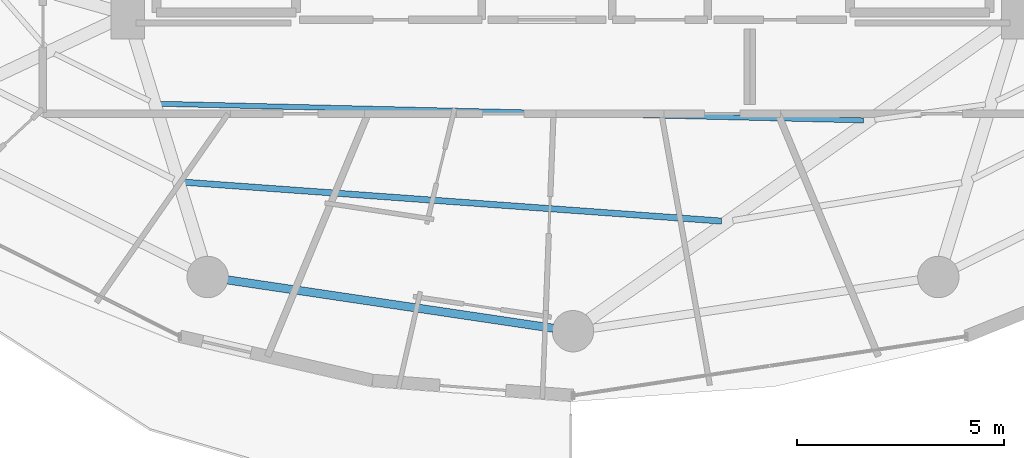
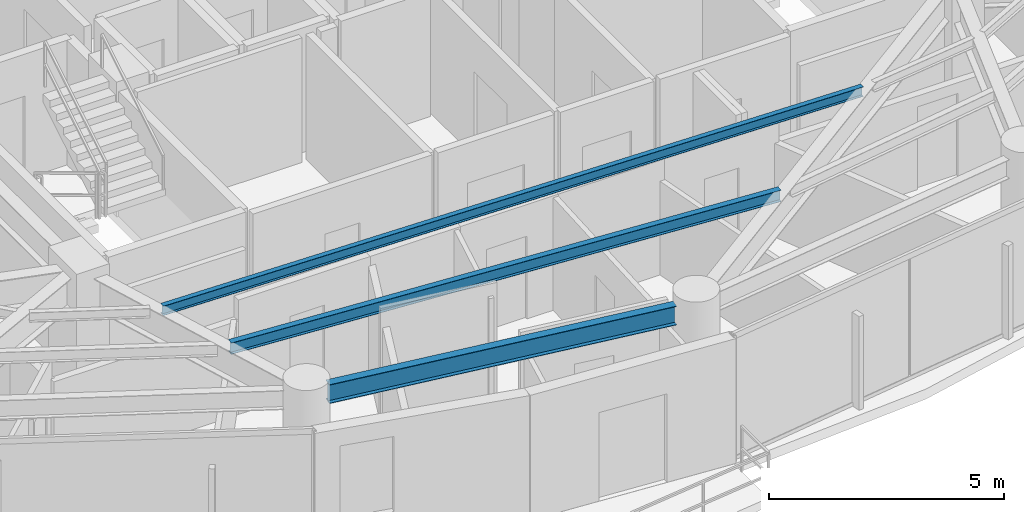
# One storey, part 4 of 28: 3 beams.
"""IFC4 building model written with IfcOpenShell, lengths in metres."""

from ifc_helpers import new_model, si_unit, direction, frame, origin, origin_2d, place, context, subcontext, project, spatial, i_section, extrude, material, material_profile, profile_set, type_object, element, save


model = new_model("IFC4")

# Units and contexts
model_context = context("Model", 3, precision=1e-05, world=origin(), true_north=direction((0.0, 1.0)))
body_context = subcontext(model_context, "Body", "Model", "MODEL_VIEW")
ifc_project = project(units=[si_unit("LENGTHUNIT", "METRE"), si_unit("AREAUNIT", "SQUARE_METRE"), si_unit("VOLUMEUNIT", "CUBIC_METRE"), si_unit("PLANEANGLEUNIT", "RADIAN"), si_unit("MASSUNIT", "GRAM", prefix="KILO")], contexts=[model_context])

# Site, building, storey
site_placement = place(None, origin())
site = spatial("IfcSite", under=ifc_project, at=site_placement, CompositionType="ELEMENT")
building_placement = place(site_placement, origin())
building = spatial("IfcBuilding", under=site, at=building_placement, Name="Vorneva Point Tower", CompositionType="ELEMENT")
storey_placement = place(building_placement, frame((0.0, 0.0, 139.60009765625)))
storey = spatial("IfcBuildingStorey", under=building, at=storey_placement, Name="L37", CompositionType="ELEMENT", Elevation=139.60009765625)

# Beams
ifc_material = material(Name="Steel S355", Category="steel")
ifc_material_profile_1 = material_profile(ifc_material, i_section(OverallWidth=0.1240234375, OverallDepth=0.248046875, WebThickness=0.0048828125, FlangeThickness=0.008056640625, at=origin_2d()), Name="25B1")
ifc_profile_set_1 = profile_set([ifc_material_profile_1], Name="Steel S355")
beam_type_1 = type_object("IfcBeamType", Name="BM-JST-25B1", PredefinedType="JOIST", material=ifc_profile_set_1)
beam_1_placement = place(storey_placement, frame((28.0439453125, 14.290283203125, 3.115966796875), z_axis=(0.999721995287, -0.023578213231, 0.0), x_axis=(0.023578213231, 0.999721995287, 0.0)))
element("IfcBeam", 1, at=beam_1_placement, inside=storey, type_object=beam_type_1, Name="L37 Secondary Floor Beam 2.12", PredefinedType="JOIST", context=body_context, shape_type="SweptSolid", body=[
    extrude(i_section(OverallWidth=0.1240234375, OverallDepth=0.248046875, WebThickness=0.0048828125, FlangeThickness=0.008056640625, at=origin_2d()), origin(), (0.0, 0.0, 1.0), 16.970947265625),
])
ifc_material_profile_2 = material_profile(ifc_material, i_section(OverallWidth=0.14892578125, OverallDepth=0.298095703125, WebThickness=0.005615234375, FlangeThickness=0.008056640625, at=origin_2d()), Name="30B1")
ifc_profile_set_2 = profile_set([ifc_material_profile_2], Name="Steel S355")
beam_type_2 = type_object("IfcBeamType", Name="BM-JST-30B1", PredefinedType="JOIST", material=ifc_profile_set_2)
beam_2_placement = place(storey_placement, frame((28.61767578125, 12.397216796875, 3.0908203125), z_axis=(0.997392598268, -0.072166508296, 0.0), x_axis=(0.072166508296, 0.997392598268, 0.0)))
element("IfcBeam", 2, at=beam_2_placement, inside=storey, type_object=beam_type_2, Name="L37 Secondary Floor Beam 1.12", PredefinedType="JOIST", context=body_context, shape_type="SweptSolid", body=[
    extrude(i_section(OverallWidth=0.14892578125, OverallDepth=0.298095703125, WebThickness=0.005615234375, FlangeThickness=0.008056640625, at=origin_2d()), origin(), (0.0, 0.0, 1.0), 13.0009765625),
])
ifc_material_profile_3 = material_profile(ifc_material, i_section(OverallWidth=0.199951171875, OverallDepth=0.491943359375, WebThickness=0.0087890625, FlangeThickness=0.011962890625, at=origin_2d()), Name="50B1")
ifc_profile_set_3 = profile_set([ifc_material_profile_3], Name="Steel S355")
beam_type_3 = type_object("IfcBeamType", Name="BM-SPN-50B1", PredefinedType="SPANDREL", material=ifc_profile_set_3)
beam_3_placement = place(storey_placement, frame((29.65869140625, 10.0380859375, 2.993896484375), z_axis=(0.989161199046, -0.146833655211, 0.0), x_axis=(0.146833655211, 0.989161199046, 0.0)))
element("IfcBeam", 3, at=beam_3_placement, inside=storey, type_object=beam_type_3, Name="L37 Perimeter Spandrel Ring Beam 12", PredefinedType="SPANDREL", context=body_context, shape_type="SweptSolid", body=[
    extrude(i_section(OverallWidth=0.199951171875, OverallDepth=0.491943359375, WebThickness=0.0087890625, FlangeThickness=0.011962890625, at=origin_2d()), origin(), (0.0, 0.0, 1.0), 7.94775390625),
])

save(model, "model.ifc")
